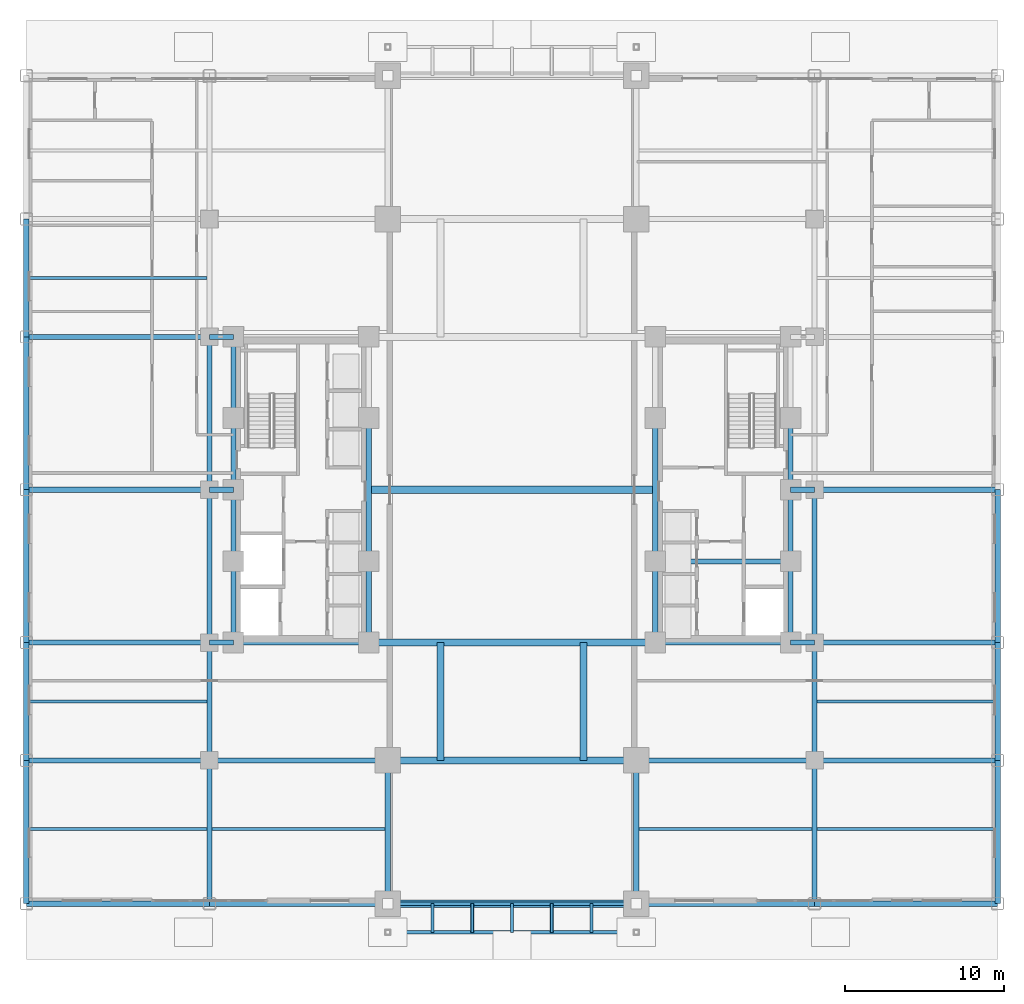
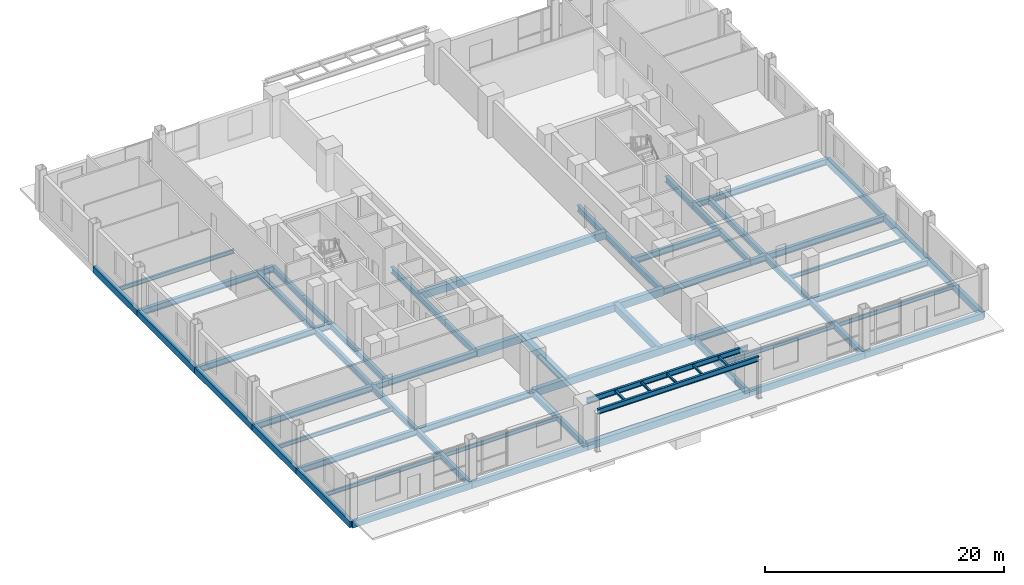
# One storey, part 6 of 20: 64 beams, 5 members.
"""IFC4 building model written with IfcOpenShell, lengths in metres."""

from ifc_helpers import new_model, si_unit, direction, frame, origin, origin_2d, place, context, subcontext, project, spatial, rectangle, hollow_rectangle, i_section, extrude, material, material_profile, profile_set, type_object, element, save


model = new_model("IFC4")

# Units and contexts
model_context = context("Model", 3, precision=1e-05, world=origin(), true_north=direction((0.0, 1.0)))
body_context = subcontext(model_context, "Body", "Model", "MODEL_VIEW")
ifc_project = project(units=[si_unit("LENGTHUNIT", "METRE"), si_unit("AREAUNIT", "SQUARE_METRE"), si_unit("VOLUMEUNIT", "CUBIC_METRE"), si_unit("PLANEANGLEUNIT", "RADIAN"), si_unit("MASSUNIT", "GRAM", prefix="KILO")], contexts=[model_context])

# Site, building, storey
site_placement = place(None, origin())
site = spatial("IfcSite", under=ifc_project, at=site_placement, CompositionType="ELEMENT")
building_placement = place(site_placement, origin())
building = spatial("IfcBuilding", under=site, at=building_placement, Name="Nuvemarco Arch Tower", CompositionType="ELEMENT")
storey_placement = place(building_placement, origin())
storey = spatial("IfcBuildingStorey", under=building, at=storey_placement, Name="L00", CompositionType="ELEMENT", Elevation=0.0)

# Beams
ifc_material_1 = material(Name="Steel S355", Category="steel")
ifc_material_profile_1 = material_profile(ifc_material_1, i_section(OverallWidth=0.2109375, OverallDepth=0.5390625, WebThickness=0.01171875, FlangeThickness=0.018798828125, FilletRadius=0.01611328125, at=origin_2d()), Name="W530x109")
ifc_profile_set_1 = profile_set([ifc_material_profile_1], Name="Steel S355")
beam_type_1 = type_object("IfcBeamType", Name="BM-ARCH-HDR", PredefinedType="LINTEL", material=ifc_profile_set_1)
for number, where, z_axis, x_axis, name in (
    (1, (-7.800048828125, -26.0, 4.0), (1.0, 0.0, 0.0), (0.0, 1.0, 0.0), "Portal arch entrance canopy inner header S"),
    (2, (-7.800048828125, -27.800048828125, 4.0), (1.0, 0.0, 0.0), (0.0, 1.0, 0.0), "Portal arch entrance canopy outer fascia beam S"),
):
    element("IfcBeam", number, at=place(storey_placement, frame(where, z_axis=z_axis, x_axis=x_axis)), inside=storey, type_object=beam_type_1, Name=name, PredefinedType="LINTEL", context=body_context, shape_type="SweptSolid", body=[
        extrude(i_section(OverallWidth=0.2109375, OverallDepth=0.5390625, WebThickness=0.01171875, FlangeThickness=0.018798828125, FilletRadius=0.01611328125, at=origin_2d()), origin(), (0.0, 0.0, 1.0), 15.60009765625),
    ])
ifc_material_2 = material(Name="Concrete C50/60", Category="concrete")
ifc_material_profile_2 = material_profile(ifc_material_2, rectangle(XDim=0.449951171875, YDim=0.75, at=origin_2d()), Name="RC-BM-450x750")
ifc_profile_set_2 = profile_set([ifc_material_profile_2], Name="Concrete C50/60")
beam_type_2 = type_object("IfcBeamType", Name="BM-BASE-RC", PredefinedType="BEAM", material=ifc_profile_set_2)
for number, where, z_axis, x_axis, name in (
    (3, (-7.800048828125, -26.0, -0.574951171875), (1.0, 0.0, 0.0), (0.0, 1.0, 0.0), "L00 structural beam BPAV_L00_-26.0"),
    (4, (-7.800048828125, -17.0, -0.574951171875), (1.0, 0.0, 0.0), (0.0, 1.0, 0.0), "L00 structural beam BPAV_L00_-17.0"),
):
    element("IfcBeam", number, at=place(storey_placement, frame(where, z_axis=z_axis, x_axis=x_axis)), inside=storey, type_object=beam_type_2, Name=name, PredefinedType="BEAM", context=body_context, shape_type="SweptSolid", body=[
        extrude(rectangle(XDim=0.449951171875, YDim=0.75, at=origin_2d()), origin(), (0.0, 0.0, 1.0), 15.60009765625),
    ])
for number, where, z_axis, x_axis, name in (
    (5, (-9.0, -9.60009765625, -0.574951171875), (1.0, 0.0, 0.0), (0.0, 1.0, 0.0), "L00 structural beam BPAV_L00_-9.6"),
    (6, (-9.0, 0.0, -0.574951171875), (1.0, 0.0, 0.0), (0.0, 1.0, 0.0), "L00 structural beam BPAV_L00_+0.0"),
):
    element("IfcBeam", number, at=place(storey_placement, frame(where, z_axis=z_axis, x_axis=x_axis)), inside=storey, type_object=beam_type_2, Name=name, PredefinedType="BEAM", context=body_context, shape_type="SweptSolid", body=[
        extrude(rectangle(XDim=0.449951171875, YDim=0.75, at=origin_2d()), origin(), (0.0, 0.0, 1.0), 18.0),
    ])
for number, where, z_axis, x_axis, name in (
    (7, (-4.5, -17.0, -0.574951171875), (0.0, 1.0, 0.0), (-1.0, 0.0, 0.0), "L00 structural beam BPAV_NS_S_W"),
    (8, (4.5, -17.0, -0.574951171875), (0.0, 1.0, 0.0), (-1.0, 0.0, 0.0), "L00 structural beam BPAV_NS_S_E"),
):
    element("IfcBeam", number, at=place(storey_placement, frame(where, z_axis=z_axis, x_axis=x_axis)), inside=storey, type_object=beam_type_2, Name=name, PredefinedType="BEAM", context=body_context, shape_type="SweptSolid", body=[
        extrude(rectangle(XDim=0.449951171875, YDim=0.75, at=origin_2d()), origin(), (0.0, 0.0, 1.0), 7.39990234375),
    ])
ifc_material_profile_3 = material_profile(ifc_material_1, i_section(OverallWidth=0.324951171875, OverallDepth=0.615966796875, WebThickness=0.013916015625, FlangeThickness=0.021484375, FilletRadius=0.01611328125, at=origin_2d()), Name="W610x174")
ifc_profile_set_3 = profile_set([ifc_material_profile_3], Name="Steel S355")
beam_type_3 = type_object("IfcBeamType", Name="BM-GIRD-610H", PredefinedType="BEAM", material=ifc_profile_set_3)
beam_1_placement = place(storey_placement, frame((-19.0, -26.0, -0.6279296875), z_axis=(0.0, 1.0, 0.0), x_axis=(-1.0, 0.0, 0.0)))
element("IfcBeam", 9, at=beam_1_placement, inside=storey, type_object=beam_type_3, Name="L00 structural beam BGNS_L00_0_-19.0_-26.0", PredefinedType="BEAM", context=body_context, shape_type="SweptSolid", body=[
    extrude(i_section(OverallWidth=0.324951171875, OverallDepth=0.615966796875, WebThickness=0.013916015625, FlangeThickness=0.021484375, FilletRadius=0.01611328125, at=origin_2d()), origin(), (0.0, 0.0, 1.0), 9.0),
])
beam_2_placement = place(storey_placement, frame((-19.0, -17.0, -0.6279296875), z_axis=(0.0, 1.0, 0.0), x_axis=(-1.0, 0.0, 0.0)))
element("IfcBeam", 10, at=beam_2_placement, inside=storey, type_object=beam_type_3, Name="L00 structural beam BGNS_L00_0_-19.0_-17.0", PredefinedType="BEAM", context=body_context, shape_type="SweptSolid", body=[
    extrude(i_section(OverallWidth=0.324951171875, OverallDepth=0.615966796875, WebThickness=0.013916015625, FlangeThickness=0.021484375, FilletRadius=0.01611328125, at=origin_2d()), origin(), (0.0, 0.0, 1.0), 7.39990234375),
])
for number, where, z_axis, x_axis, name in (
    (11, (-19.0, -9.60009765625, -0.6279296875), (0.0, 1.0, 0.0), (-1.0, 0.0, 0.0), "L00 structural beam BGNS_L00_0_-19.0_-9.6"),
    (12, (-19.0, 0.0, -0.6279296875), (0.0, 1.0, 0.0), (-1.0, 0.0, 0.0), "L00 structural beam BGNS_L00_0_-19.0_+0.0"),
):
    element("IfcBeam", number, at=place(storey_placement, frame(where, z_axis=z_axis, x_axis=x_axis)), inside=storey, type_object=beam_type_3, Name=name, PredefinedType="BEAM", context=body_context, shape_type="SweptSolid", body=[
        extrude(i_section(OverallWidth=0.324951171875, OverallDepth=0.615966796875, WebThickness=0.013916015625, FlangeThickness=0.021484375, FilletRadius=0.01611328125, at=origin_2d()), origin(), (0.0, 0.0, 1.0), 9.60009765625),
    ])
beam_3_placement = place(storey_placement, frame((-17.5, -9.60009765625, -0.6279296875), z_axis=(0.0, 1.0, 0.0), x_axis=(-1.0, 0.0, 0.0)))
element("IfcBeam", 13, at=beam_3_placement, inside=storey, type_object=beam_type_3, Name="L00 structural beam BGNS_L00_0_-17.5_-9.6", PredefinedType="BEAM", context=body_context, shape_type="SweptSolid", body=[
    extrude(i_section(OverallWidth=0.324951171875, OverallDepth=0.615966796875, WebThickness=0.013916015625, FlangeThickness=0.021484375, FilletRadius=0.01611328125, at=origin_2d()), origin(), (0.0, 0.0, 1.0), 5.10009765625),
])
for number, where, z_axis, x_axis, name in (
    (14, (-17.5, -4.5, -0.6279296875), (0.0, 1.0, 0.0), (-1.0, 0.0, 0.0), "L00 structural beam BGNS_L00_0_-17.5_-4.5"),
    (15, (-17.5, 0.0, -0.6279296875), (0.0, 1.0, 0.0), (-1.0, 0.0, 0.0), "L00 structural beam BGNS_L00_0_-17.5_+0.0"),
):
    element("IfcBeam", number, at=place(storey_placement, frame(where, z_axis=z_axis, x_axis=x_axis)), inside=storey, type_object=beam_type_3, Name=name, PredefinedType="BEAM", context=body_context, shape_type="SweptSolid", body=[
        extrude(i_section(OverallWidth=0.324951171875, OverallDepth=0.615966796875, WebThickness=0.013916015625, FlangeThickness=0.021484375, FilletRadius=0.01611328125, at=origin_2d()), origin(), (0.0, 0.0, 1.0), 4.5),
    ])
for number, where, z_axis, x_axis, name in (
    (16, (-17.5, 4.5, -0.6279296875), (0.0, 1.0, 0.0), (-1.0, 0.0, 0.0), "L00 structural beam BGNS_L00_0_-17.5_+4.5"),
    (17, (-9.0, -9.60009765625, -0.6279296875), (0.0, 1.0, 0.0), (-1.0, 0.0, 0.0), "L00 structural beam BGNS_L00_0_-9.0_-9.6"),
):
    element("IfcBeam", number, at=place(storey_placement, frame(where, z_axis=z_axis, x_axis=x_axis)), inside=storey, type_object=beam_type_3, Name=name, PredefinedType="BEAM", context=body_context, shape_type="SweptSolid", body=[
        extrude(i_section(OverallWidth=0.324951171875, OverallDepth=0.615966796875, WebThickness=0.013916015625, FlangeThickness=0.021484375, FilletRadius=0.01611328125, at=origin_2d()), origin(), (0.0, 0.0, 1.0), 5.10009765625),
    ])
for number, where, z_axis, x_axis, name in (
    (18, (-9.0, -4.5, -0.6279296875), (0.0, 1.0, 0.0), (-1.0, 0.0, 0.0), "L00 structural beam BGNS_L00_0_-9.0_-4.5"),
    (19, (-7.800048828125, -26.0, -0.6279296875), (0.0, 1.0, 0.0), (-1.0, 0.0, 0.0), "L00 structural beam BGNS_L00_0_-7.8_-26.0"),
):
    element("IfcBeam", number, at=place(storey_placement, frame(where, z_axis=z_axis, x_axis=x_axis)), inside=storey, type_object=beam_type_3, Name=name, PredefinedType="BEAM", context=body_context, shape_type="SweptSolid", body=[
        extrude(i_section(OverallWidth=0.324951171875, OverallDepth=0.615966796875, WebThickness=0.013916015625, FlangeThickness=0.021484375, FilletRadius=0.01611328125, at=origin_2d()), origin(), (0.0, 0.0, 1.0), 9.0),
    ])
beam_4_placement = place(storey_placement, frame((-30.5, -17.0, -0.6279296875), z_axis=(1.0, 0.0, 0.0), x_axis=(0.0, 1.0, 0.0)))
element("IfcBeam", 20, at=beam_4_placement, inside=storey, type_object=beam_type_3, Name="L00 structural beam BGEW_L00_0_-17.0_-30.5", PredefinedType="BEAM", context=body_context, shape_type="SweptSolid", body=[
    extrude(i_section(OverallWidth=0.324951171875, OverallDepth=0.615966796875, WebThickness=0.013916015625, FlangeThickness=0.021484375, FilletRadius=0.01611328125, at=origin_2d()), origin(), (0.0, 0.0, 1.0), 11.5),
])
beam_5_placement = place(storey_placement, frame((-19.0, -17.0, -0.6279296875), z_axis=(1.0, 0.0, 0.0), x_axis=(0.0, 1.0, 0.0)))
element("IfcBeam", 21, at=beam_5_placement, inside=storey, type_object=beam_type_3, Name="L00 structural beam BGEW_L00_0_-17.0_-19.0", PredefinedType="BEAM", context=body_context, shape_type="SweptSolid", body=[
    extrude(i_section(OverallWidth=0.324951171875, OverallDepth=0.615966796875, WebThickness=0.013916015625, FlangeThickness=0.021484375, FilletRadius=0.01611328125, at=origin_2d()), origin(), (0.0, 0.0, 1.0), 11.199951171875),
])
beam_6_placement = place(storey_placement, frame((-30.5, -9.60009765625, -0.6279296875), z_axis=(1.0, 0.0, 0.0), x_axis=(0.0, 1.0, 0.0)))
element("IfcBeam", 22, at=beam_6_placement, inside=storey, type_object=beam_type_3, Name="L00 structural beam BGEW_L00_0_-9.6_-30.5", PredefinedType="BEAM", context=body_context, shape_type="SweptSolid", body=[
    extrude(i_section(OverallWidth=0.324951171875, OverallDepth=0.615966796875, WebThickness=0.013916015625, FlangeThickness=0.021484375, FilletRadius=0.01611328125, at=origin_2d()), origin(), (0.0, 0.0, 1.0), 11.5),
])
beam_7_placement = place(storey_placement, frame((-19.0, -9.60009765625, -0.6279296875), z_axis=(1.0, 0.0, 0.0), x_axis=(0.0, 1.0, 0.0)))
element("IfcBeam", 23, at=beam_7_placement, inside=storey, type_object=beam_type_3, Name="L00 structural beam BGEW_L00_0_-9.6_-19.0", PredefinedType="BEAM", context=body_context, shape_type="SweptSolid", body=[
    extrude(i_section(OverallWidth=0.324951171875, OverallDepth=0.615966796875, WebThickness=0.013916015625, FlangeThickness=0.021484375, FilletRadius=0.01611328125, at=origin_2d()), origin(), (0.0, 0.0, 1.0), 1.5),
])
beam_8_placement = place(storey_placement, frame((-17.5, -9.60009765625, -0.6279296875), z_axis=(1.0, 0.0, 0.0), x_axis=(0.0, 1.0, 0.0)))
element("IfcBeam", 24, at=beam_8_placement, inside=storey, type_object=beam_type_3, Name="L00 structural beam BGEW_L00_0_-9.6_-17.5", PredefinedType="BEAM", context=body_context, shape_type="SweptSolid", body=[
    extrude(i_section(OverallWidth=0.324951171875, OverallDepth=0.615966796875, WebThickness=0.013916015625, FlangeThickness=0.021484375, FilletRadius=0.01611328125, at=origin_2d()), origin(), (0.0, 0.0, 1.0), 8.5),
])
beam_9_placement = place(storey_placement, frame((-30.5, 0.0, -0.6279296875), z_axis=(1.0, 0.0, 0.0), x_axis=(0.0, 1.0, 0.0)))
element("IfcBeam", 25, at=beam_9_placement, inside=storey, type_object=beam_type_3, Name="L00 structural beam BGEW_L00_0_+0.0_-30.5", PredefinedType="BEAM", context=body_context, shape_type="SweptSolid", body=[
    extrude(i_section(OverallWidth=0.324951171875, OverallDepth=0.615966796875, WebThickness=0.013916015625, FlangeThickness=0.021484375, FilletRadius=0.01611328125, at=origin_2d()), origin(), (0.0, 0.0, 1.0), 11.5),
])
beam_10_placement = place(storey_placement, frame((-19.0, 0.0, -0.6279296875), z_axis=(1.0, 0.0, 0.0), x_axis=(0.0, 1.0, 0.0)))
element("IfcBeam", 26, at=beam_10_placement, inside=storey, type_object=beam_type_3, Name="L00 structural beam BGEW_L00_0_+0.0_-19.0", PredefinedType="BEAM", context=body_context, shape_type="SweptSolid", body=[
    extrude(i_section(OverallWidth=0.324951171875, OverallDepth=0.615966796875, WebThickness=0.013916015625, FlangeThickness=0.021484375, FilletRadius=0.01611328125, at=origin_2d()), origin(), (0.0, 0.0, 1.0), 1.5),
])
beam_11_placement = place(storey_placement, frame((-30.5, 9.60009765625, -0.6279296875), z_axis=(1.0, 0.0, 0.0), x_axis=(0.0, 1.0, 0.0)))
element("IfcBeam", 27, at=beam_11_placement, inside=storey, type_object=beam_type_3, Name="L00 structural beam BGEW_L00_0_+9.6_-30.5", PredefinedType="BEAM", context=body_context, shape_type="SweptSolid", body=[
    extrude(i_section(OverallWidth=0.324951171875, OverallDepth=0.615966796875, WebThickness=0.013916015625, FlangeThickness=0.021484375, FilletRadius=0.01611328125, at=origin_2d()), origin(), (0.0, 0.0, 1.0), 11.5),
])
beam_12_placement = place(storey_placement, frame((-19.0, 9.60009765625, -0.6279296875), z_axis=(1.0, 0.0, 0.0), x_axis=(0.0, 1.0, 0.0)))
element("IfcBeam", 28, at=beam_12_placement, inside=storey, type_object=beam_type_3, Name="L00 structural beam BGEW_L00_0_+9.6_-19.0", PredefinedType="BEAM", context=body_context, shape_type="SweptSolid", body=[
    extrude(i_section(OverallWidth=0.324951171875, OverallDepth=0.615966796875, WebThickness=0.013916015625, FlangeThickness=0.021484375, FilletRadius=0.01611328125, at=origin_2d()), origin(), (0.0, 0.0, 1.0), 1.5),
])
beam_13_placement = place(storey_placement, frame((7.800048828125, -26.0, -0.6279296875), z_axis=(0.0, 1.0, 0.0), x_axis=(-1.0, 0.0, 0.0)))
element("IfcBeam", 29, at=beam_13_placement, inside=storey, type_object=beam_type_3, Name="L00 structural beam BGNS_L00_1_+7.8_-26.0", PredefinedType="BEAM", context=body_context, shape_type="SweptSolid", body=[
    extrude(i_section(OverallWidth=0.324951171875, OverallDepth=0.615966796875, WebThickness=0.013916015625, FlangeThickness=0.021484375, FilletRadius=0.01611328125, at=origin_2d()), origin(), (0.0, 0.0, 1.0), 9.0),
])
beam_14_placement = place(storey_placement, frame((9.0, -9.60009765625, -0.6279296875), z_axis=(0.0, 1.0, 0.0), x_axis=(-1.0, 0.0, 0.0)))
element("IfcBeam", 30, at=beam_14_placement, inside=storey, type_object=beam_type_3, Name="L00 structural beam BGNS_L00_1_+9.0_-9.6", PredefinedType="BEAM", context=body_context, shape_type="SweptSolid", body=[
    extrude(i_section(OverallWidth=0.324951171875, OverallDepth=0.615966796875, WebThickness=0.013916015625, FlangeThickness=0.021484375, FilletRadius=0.01611328125, at=origin_2d()), origin(), (0.0, 0.0, 1.0), 5.10009765625),
])
beam_15_placement = place(storey_placement, frame((9.0, -4.5, -0.6279296875), z_axis=(0.0, 1.0, 0.0), x_axis=(-1.0, 0.0, 0.0)))
element("IfcBeam", 31, at=beam_15_placement, inside=storey, type_object=beam_type_3, Name="L00 structural beam BGNS_L00_1_+9.0_-4.5", PredefinedType="BEAM", context=body_context, shape_type="SweptSolid", body=[
    extrude(i_section(OverallWidth=0.324951171875, OverallDepth=0.615966796875, WebThickness=0.013916015625, FlangeThickness=0.021484375, FilletRadius=0.01611328125, at=origin_2d()), origin(), (0.0, 0.0, 1.0), 9.0),
])
beam_16_placement = place(storey_placement, frame((17.5, -9.60009765625, -0.6279296875), z_axis=(0.0, 1.0, 0.0), x_axis=(-1.0, 0.0, 0.0)))
element("IfcBeam", 32, at=beam_16_placement, inside=storey, type_object=beam_type_3, Name="L00 structural beam BGNS_L00_1_+17.5_-9.6", PredefinedType="BEAM", context=body_context, shape_type="SweptSolid", body=[
    extrude(i_section(OverallWidth=0.324951171875, OverallDepth=0.615966796875, WebThickness=0.013916015625, FlangeThickness=0.021484375, FilletRadius=0.01611328125, at=origin_2d()), origin(), (0.0, 0.0, 1.0), 5.10009765625),
])
for number, where, z_axis, x_axis, name in (
    (33, (17.5, -4.5, -0.6279296875), (0.0, 1.0, 0.0), (-1.0, 0.0, 0.0), "L00 structural beam BGNS_L00_1_+17.5_-4.5"),
    (34, (17.5, 0.0, -0.6279296875), (0.0, 1.0, 0.0), (-1.0, 0.0, 0.0), "L00 structural beam BGNS_L00_1_+17.5_+0.0"),
):
    element("IfcBeam", number, at=place(storey_placement, frame(where, z_axis=z_axis, x_axis=x_axis)), inside=storey, type_object=beam_type_3, Name=name, PredefinedType="BEAM", context=body_context, shape_type="SweptSolid", body=[
        extrude(i_section(OverallWidth=0.324951171875, OverallDepth=0.615966796875, WebThickness=0.013916015625, FlangeThickness=0.021484375, FilletRadius=0.01611328125, at=origin_2d()), origin(), (0.0, 0.0, 1.0), 4.5),
    ])
beam_17_placement = place(storey_placement, frame((19.0, -26.0, -0.6279296875), z_axis=(0.0, 1.0, 0.0), x_axis=(-1.0, 0.0, 0.0)))
element("IfcBeam", 35, at=beam_17_placement, inside=storey, type_object=beam_type_3, Name="L00 structural beam BGNS_L00_1_+19.0_-26.0", PredefinedType="BEAM", context=body_context, shape_type="SweptSolid", body=[
    extrude(i_section(OverallWidth=0.324951171875, OverallDepth=0.615966796875, WebThickness=0.013916015625, FlangeThickness=0.021484375, FilletRadius=0.01611328125, at=origin_2d()), origin(), (0.0, 0.0, 1.0), 9.0),
])
beam_18_placement = place(storey_placement, frame((19.0, -17.0, -0.6279296875), z_axis=(0.0, 1.0, 0.0), x_axis=(-1.0, 0.0, 0.0)))
element("IfcBeam", 36, at=beam_18_placement, inside=storey, type_object=beam_type_3, Name="L00 structural beam BGNS_L00_1_+19.0_-17.0", PredefinedType="BEAM", context=body_context, shape_type="SweptSolid", body=[
    extrude(i_section(OverallWidth=0.324951171875, OverallDepth=0.615966796875, WebThickness=0.013916015625, FlangeThickness=0.021484375, FilletRadius=0.01611328125, at=origin_2d()), origin(), (0.0, 0.0, 1.0), 7.39990234375),
])
beam_19_placement = place(storey_placement, frame((19.0, -9.60009765625, -0.6279296875), z_axis=(0.0, 1.0, 0.0), x_axis=(-1.0, 0.0, 0.0)))
element("IfcBeam", 37, at=beam_19_placement, inside=storey, type_object=beam_type_3, Name="L00 structural beam BGNS_L00_1_+19.0_-9.6", PredefinedType="BEAM", context=body_context, shape_type="SweptSolid", body=[
    extrude(i_section(OverallWidth=0.324951171875, OverallDepth=0.615966796875, WebThickness=0.013916015625, FlangeThickness=0.021484375, FilletRadius=0.01611328125, at=origin_2d()), origin(), (0.0, 0.0, 1.0), 9.60009765625),
])
beam_20_placement = place(storey_placement, frame((7.800048828125, -17.0, -0.6279296875), z_axis=(1.0, 0.0, 0.0), x_axis=(0.0, 1.0, 0.0)))
element("IfcBeam", 38, at=beam_20_placement, inside=storey, type_object=beam_type_3, Name="L00 structural beam BGEW_L00_1_-17.0_+7.8", PredefinedType="BEAM", context=body_context, shape_type="SweptSolid", body=[
    extrude(i_section(OverallWidth=0.324951171875, OverallDepth=0.615966796875, WebThickness=0.013916015625, FlangeThickness=0.021484375, FilletRadius=0.01611328125, at=origin_2d()), origin(), (0.0, 0.0, 1.0), 11.199951171875),
])
beam_21_placement = place(storey_placement, frame((19.0, -17.0, -0.6279296875), z_axis=(1.0, 0.0, 0.0), x_axis=(0.0, 1.0, 0.0)))
element("IfcBeam", 39, at=beam_21_placement, inside=storey, type_object=beam_type_3, Name="L00 structural beam BGEW_L00_1_-17.0_+19.0", PredefinedType="BEAM", context=body_context, shape_type="SweptSolid", body=[
    extrude(i_section(OverallWidth=0.324951171875, OverallDepth=0.615966796875, WebThickness=0.013916015625, FlangeThickness=0.021484375, FilletRadius=0.01611328125, at=origin_2d()), origin(), (0.0, 0.0, 1.0), 11.5),
])
beam_22_placement = place(storey_placement, frame((9.0, -9.60009765625, -0.6279296875), z_axis=(1.0, 0.0, 0.0), x_axis=(0.0, 1.0, 0.0)))
element("IfcBeam", 40, at=beam_22_placement, inside=storey, type_object=beam_type_3, Name="L00 structural beam BGEW_L00_1_-9.6_+9.0", PredefinedType="BEAM", context=body_context, shape_type="SweptSolid", body=[
    extrude(i_section(OverallWidth=0.324951171875, OverallDepth=0.615966796875, WebThickness=0.013916015625, FlangeThickness=0.021484375, FilletRadius=0.01611328125, at=origin_2d()), origin(), (0.0, 0.0, 1.0), 8.5),
])
beam_23_placement = place(storey_placement, frame((17.5, -9.60009765625, -0.6279296875), z_axis=(1.0, 0.0, 0.0), x_axis=(0.0, 1.0, 0.0)))
element("IfcBeam", 41, at=beam_23_placement, inside=storey, type_object=beam_type_3, Name="L00 structural beam BGEW_L00_1_-9.6_+17.5", PredefinedType="BEAM", context=body_context, shape_type="SweptSolid", body=[
    extrude(i_section(OverallWidth=0.324951171875, OverallDepth=0.615966796875, WebThickness=0.013916015625, FlangeThickness=0.021484375, FilletRadius=0.01611328125, at=origin_2d()), origin(), (0.0, 0.0, 1.0), 1.5),
])
beam_24_placement = place(storey_placement, frame((19.0, -9.60009765625, -0.6279296875), z_axis=(1.0, 0.0, 0.0), x_axis=(0.0, 1.0, 0.0)))
element("IfcBeam", 42, at=beam_24_placement, inside=storey, type_object=beam_type_3, Name="L00 structural beam BGEW_L00_1_-9.6_+19.0", PredefinedType="BEAM", context=body_context, shape_type="SweptSolid", body=[
    extrude(i_section(OverallWidth=0.324951171875, OverallDepth=0.615966796875, WebThickness=0.013916015625, FlangeThickness=0.021484375, FilletRadius=0.01611328125, at=origin_2d()), origin(), (0.0, 0.0, 1.0), 11.5),
])
beam_25_placement = place(storey_placement, frame((9.0, -4.5, -0.6279296875), z_axis=(1.0, 0.0, 0.0), x_axis=(0.0, 1.0, 0.0)))
element("IfcBeam", 43, at=beam_25_placement, inside=storey, type_object=beam_type_3, Name="L00 structural beam BGEW_L00_1_-4.5_+9.0", PredefinedType="BEAM", context=body_context, shape_type="SweptSolid", body=[
    extrude(i_section(OverallWidth=0.324951171875, OverallDepth=0.615966796875, WebThickness=0.013916015625, FlangeThickness=0.021484375, FilletRadius=0.01611328125, at=origin_2d()), origin(), (0.0, 0.0, 1.0), 8.5),
])
beam_26_placement = place(storey_placement, frame((17.5, 0.0, -0.6279296875), z_axis=(1.0, 0.0, 0.0), x_axis=(0.0, 1.0, 0.0)))
element("IfcBeam", 44, at=beam_26_placement, inside=storey, type_object=beam_type_3, Name="L00 structural beam BGEW_L00_1_+0.0_+17.5", PredefinedType="BEAM", context=body_context, shape_type="SweptSolid", body=[
    extrude(i_section(OverallWidth=0.324951171875, OverallDepth=0.615966796875, WebThickness=0.013916015625, FlangeThickness=0.021484375, FilletRadius=0.01611328125, at=origin_2d()), origin(), (0.0, 0.0, 1.0), 1.5),
])
beam_27_placement = place(storey_placement, frame((19.0, 0.0, -0.6279296875), z_axis=(1.0, 0.0, 0.0), x_axis=(0.0, 1.0, 0.0)))
element("IfcBeam", 45, at=beam_27_placement, inside=storey, type_object=beam_type_3, Name="L00 structural beam BGEW_L00_1_+0.0_+19.0", PredefinedType="BEAM", context=body_context, shape_type="SweptSolid", body=[
    extrude(i_section(OverallWidth=0.324951171875, OverallDepth=0.615966796875, WebThickness=0.013916015625, FlangeThickness=0.021484375, FilletRadius=0.01611328125, at=origin_2d()), origin(), (0.0, 0.0, 1.0), 11.5),
])
ifc_material_profile_4 = material_profile(ifc_material_1, i_section(OverallWidth=0.179931640625, OverallDepth=0.4130859375, WebThickness=0.009765625, FlangeThickness=0.01611328125, FilletRadius=0.014892578125, at=origin_2d()), Name="W410x75")
ifc_profile_set_4 = profile_set([ifc_material_profile_4], Name="Steel S355")
beam_type_4 = type_object("IfcBeamType", Name="BM-JOIST-410", PredefinedType="JOIST", material=ifc_profile_set_4)
beam_28_placement = place(storey_placement, frame((-30.324951171875, -21.300048828125, -0.526611328125), z_axis=(1.0, 0.0, 0.0), x_axis=(0.0, 1.0, 0.0)))
element("IfcBeam", 46, at=beam_28_placement, inside=storey, type_object=beam_type_4, Name="L00 structural beam BJ_L00_0_-21.3_-30.5", PredefinedType="JOIST", context=body_context, shape_type="SweptSolid", body=[
    extrude(i_section(OverallWidth=0.179931640625, OverallDepth=0.4130859375, WebThickness=0.009765625, FlangeThickness=0.01611328125, FilletRadius=0.014892578125, at=origin_2d()), origin(), (0.0, 0.0, 1.0), 11.162353515625),
])
beam_29_placement = place(storey_placement, frame((-18.83740234375, -21.300048828125, -0.526611328125), z_axis=(1.0, 0.0, 0.0), x_axis=(0.0, 1.0, 0.0)))
element("IfcBeam", 47, at=beam_29_placement, inside=storey, type_object=beam_type_4, Name="L00 structural beam BJ_L00_0_-21.3_-19.0", PredefinedType="JOIST", context=body_context, shape_type="SweptSolid", body=[
    extrude(i_section(OverallWidth=0.179931640625, OverallDepth=0.4130859375, WebThickness=0.009765625, FlangeThickness=0.01611328125, FilletRadius=0.014892578125, at=origin_2d()), origin(), (0.0, 0.0, 1.0), 10.875),
])
for number, where, z_axis, x_axis, name in (
    (48, (-30.324951171875, -13.300048828125, -0.526611328125), (1.0, 0.0, 0.0), (0.0, 1.0, 0.0), "L00 structural beam BJ_L00_0_-13.3_-30.5"),
    (49, (-30.324951171875, 13.300048828125, -0.526611328125), (1.0, 0.0, 0.0), (0.0, 1.0, 0.0), "L00 structural beam BJ_L00_0_+13.3_-30.5"),
):
    element("IfcBeam", number, at=place(storey_placement, frame(where, z_axis=z_axis, x_axis=x_axis)), inside=storey, type_object=beam_type_4, Name=name, PredefinedType="JOIST", context=body_context, shape_type="SweptSolid", body=[
        extrude(i_section(OverallWidth=0.179931640625, OverallDepth=0.4130859375, WebThickness=0.009765625, FlangeThickness=0.01611328125, FilletRadius=0.014892578125, at=origin_2d()), origin(), (0.0, 0.0, 1.0), 11.162353515625),
    ])
beam_30_placement = place(storey_placement, frame((7.96240234375, -21.300048828125, -0.526611328125), z_axis=(1.0, 0.0, 0.0), x_axis=(0.0, 1.0, 0.0)))
element("IfcBeam", 50, at=beam_30_placement, inside=storey, type_object=beam_type_4, Name="L00 structural beam BJ_L00_1_-21.3_+7.8", PredefinedType="JOIST", context=body_context, shape_type="SweptSolid", body=[
    extrude(i_section(OverallWidth=0.179931640625, OverallDepth=0.4130859375, WebThickness=0.009765625, FlangeThickness=0.01611328125, FilletRadius=0.014892578125, at=origin_2d()), origin(), (0.0, 0.0, 1.0), 10.875),
])
for number, where, z_axis, x_axis, name in (
    (51, (19.16259765625, -21.300048828125, -0.526611328125), (1.0, 0.0, 0.0), (0.0, 1.0, 0.0), "L00 structural beam BJ_L00_1_-21.3_+19.0"),
    (52, (19.16259765625, -13.300048828125, -0.526611328125), (1.0, 0.0, 0.0), (0.0, 1.0, 0.0), "L00 structural beam BJ_L00_1_-13.3_+19.0"),
):
    element("IfcBeam", number, at=place(storey_placement, frame(where, z_axis=z_axis, x_axis=x_axis)), inside=storey, type_object=beam_type_4, Name=name, PredefinedType="JOIST", context=body_context, shape_type="SweptSolid", body=[
        extrude(i_section(OverallWidth=0.179931640625, OverallDepth=0.4130859375, WebThickness=0.009765625, FlangeThickness=0.01611328125, FilletRadius=0.014892578125, at=origin_2d()), origin(), (0.0, 0.0, 1.0), 11.162353515625),
    ])
ifc_material_3 = material(Name="Precast concrete C45/55", Category="concrete")
ifc_material_profile_5 = material_profile(ifc_material_3, rectangle(XDim=0.35009765625, YDim=0.64990234375, at=origin_2d()), Name="PC-SP-350x650")
ifc_profile_set_5 = profile_set([ifc_material_profile_5], Name="Precast concrete C45/55")
beam_type_5 = type_object("IfcBeamType", Name="BM-SPAN-RC", PredefinedType="SPANDREL", material=ifc_profile_set_5)
beam_31_placement = place(storey_placement, frame((-30.5, -26.0, -0.64501953125), z_axis=(0.0, 1.0, 0.0), x_axis=(-1.0, 0.0, 0.0)))
element("IfcBeam", 53, at=beam_31_placement, inside=storey, type_object=beam_type_5, Name="L00 structural beam BGNS_L00_0_-30.5_-26.0", PredefinedType="SPANDREL", context=body_context, shape_type="SweptSolid", body=[
    extrude(rectangle(XDim=0.35009765625, YDim=0.64990234375, at=origin_2d()), origin(), (0.0, 0.0, 1.0), 9.0),
])
beam_32_placement = place(storey_placement, frame((-30.5, -17.0, -0.64501953125), z_axis=(0.0, 1.0, 0.0), x_axis=(-1.0, 0.0, 0.0)))
element("IfcBeam", 54, at=beam_32_placement, inside=storey, type_object=beam_type_5, Name="L00 structural beam BGNS_L00_0_-30.5_-17.0", PredefinedType="SPANDREL", context=body_context, shape_type="SweptSolid", body=[
    extrude(rectangle(XDim=0.35009765625, YDim=0.64990234375, at=origin_2d()), origin(), (0.0, 0.0, 1.0), 7.39990234375),
])
for number, where, z_axis, x_axis, name in (
    (55, (-30.5, -9.60009765625, -0.64501953125), (0.0, 1.0, 0.0), (-1.0, 0.0, 0.0), "L00 structural beam BGNS_L00_0_-30.5_-9.6"),
    (56, (-30.5, 0.0, -0.64501953125), (0.0, 1.0, 0.0), (-1.0, 0.0, 0.0), "L00 structural beam BGNS_L00_0_-30.5_+0.0"),
):
    element("IfcBeam", number, at=place(storey_placement, frame(where, z_axis=z_axis, x_axis=x_axis)), inside=storey, type_object=beam_type_5, Name=name, PredefinedType="SPANDREL", context=body_context, shape_type="SweptSolid", body=[
        extrude(rectangle(XDim=0.35009765625, YDim=0.64990234375, at=origin_2d()), origin(), (0.0, 0.0, 1.0), 9.60009765625),
    ])
beam_33_placement = place(storey_placement, frame((-30.5, 9.60009765625, -0.64501953125), z_axis=(0.0, 1.0, 0.0), x_axis=(-1.0, 0.0, 0.0)))
element("IfcBeam", 57, at=beam_33_placement, inside=storey, type_object=beam_type_5, Name="L00 structural beam BGNS_L00_0_-30.5_+9.6", PredefinedType="SPANDREL", context=body_context, shape_type="SweptSolid", body=[
    extrude(rectangle(XDim=0.35009765625, YDim=0.64990234375, at=origin_2d()), origin(), (0.0, 0.0, 1.0), 7.39990234375),
])
beam_34_placement = place(storey_placement, frame((-30.5, -26.0, -0.64501953125), z_axis=(1.0, 0.0, 0.0), x_axis=(0.0, 1.0, 0.0)))
element("IfcBeam", 58, at=beam_34_placement, inside=storey, type_object=beam_type_5, Name="L00 structural beam BGEW_L00_0_-26.0_-30.5", PredefinedType="SPANDREL", context=body_context, shape_type="SweptSolid", body=[
    extrude(rectangle(XDim=0.35009765625, YDim=0.64990234375, at=origin_2d()), origin(), (0.0, 0.0, 1.0), 11.5),
])
beam_35_placement = place(storey_placement, frame((-19.0, -26.0, -0.64501953125), z_axis=(1.0, 0.0, 0.0), x_axis=(0.0, 1.0, 0.0)))
element("IfcBeam", 59, at=beam_35_placement, inside=storey, type_object=beam_type_5, Name="L00 structural beam BGEW_L00_0_-26.0_-19.0", PredefinedType="SPANDREL", context=body_context, shape_type="SweptSolid", body=[
    extrude(rectangle(XDim=0.35009765625, YDim=0.64990234375, at=origin_2d()), origin(), (0.0, 0.0, 1.0), 11.199951171875),
])
beam_36_placement = place(storey_placement, frame((30.5, -26.0, -0.64501953125), z_axis=(0.0, 1.0, 0.0), x_axis=(-1.0, 0.0, 0.0)))
element("IfcBeam", 60, at=beam_36_placement, inside=storey, type_object=beam_type_5, Name="L00 structural beam BGNS_L00_1_+30.5_-26.0", PredefinedType="SPANDREL", context=body_context, shape_type="SweptSolid", body=[
    extrude(rectangle(XDim=0.35009765625, YDim=0.64990234375, at=origin_2d()), origin(), (0.0, 0.0, 1.0), 9.0),
])
beam_37_placement = place(storey_placement, frame((30.5, -17.0, -0.64501953125), z_axis=(0.0, 1.0, 0.0), x_axis=(-1.0, 0.0, 0.0)))
element("IfcBeam", 61, at=beam_37_placement, inside=storey, type_object=beam_type_5, Name="L00 structural beam BGNS_L00_1_+30.5_-17.0", PredefinedType="SPANDREL", context=body_context, shape_type="SweptSolid", body=[
    extrude(rectangle(XDim=0.35009765625, YDim=0.64990234375, at=origin_2d()), origin(), (0.0, 0.0, 1.0), 7.39990234375),
])
beam_38_placement = place(storey_placement, frame((30.5, -9.60009765625, -0.64501953125), z_axis=(0.0, 1.0, 0.0), x_axis=(-1.0, 0.0, 0.0)))
element("IfcBeam", 62, at=beam_38_placement, inside=storey, type_object=beam_type_5, Name="L00 structural beam BGNS_L00_1_+30.5_-9.6", PredefinedType="SPANDREL", context=body_context, shape_type="SweptSolid", body=[
    extrude(rectangle(XDim=0.35009765625, YDim=0.64990234375, at=origin_2d()), origin(), (0.0, 0.0, 1.0), 9.60009765625),
])
beam_39_placement = place(storey_placement, frame((7.800048828125, -26.0, -0.64501953125), z_axis=(1.0, 0.0, 0.0), x_axis=(0.0, 1.0, 0.0)))
element("IfcBeam", 63, at=beam_39_placement, inside=storey, type_object=beam_type_5, Name="L00 structural beam BGEW_L00_1_-26.0_+7.8", PredefinedType="SPANDREL", context=body_context, shape_type="SweptSolid", body=[
    extrude(rectangle(XDim=0.35009765625, YDim=0.64990234375, at=origin_2d()), origin(), (0.0, 0.0, 1.0), 11.199951171875),
])
beam_40_placement = place(storey_placement, frame((19.0, -26.0, -0.64501953125), z_axis=(1.0, 0.0, 0.0), x_axis=(0.0, 1.0, 0.0)))
element("IfcBeam", 64, at=beam_40_placement, inside=storey, type_object=beam_type_5, Name="L00 structural beam BGEW_L00_1_-26.0_+19.0", PredefinedType="SPANDREL", context=body_context, shape_type="SweptSolid", body=[
    extrude(rectangle(XDim=0.35009765625, YDim=0.64990234375, at=origin_2d()), origin(), (0.0, 0.0, 1.0), 11.5),
])

# Members
ifc_material_profile_6 = material_profile(ifc_material_1, hollow_rectangle(XDim=0.199951171875, YDim=0.199951171875, WallThickness=0.012451171875, InnerFilletRadius=0.012451171875, OuterFilletRadius=0.02490234375, at=origin_2d()), Name="SHS200x200x12.5")
ifc_profile_set_6 = profile_set([ifc_material_profile_6], Name="Steel S355")
member_type = type_object("IfcMemberType", Name="MB-CANOPY-TIE", PredefinedType="RAFTER", material=ifc_profile_set_6)
for number, where, z_axis, x_axis, name in (
    (65, (-5.0, -26.0, 4.0), (0.0, -1.0, 0.0), (1.0, 0.0, 0.0), "Portal arch entrance canopy rafter S -5.0"),
    (66, (-2.5, -26.0, 4.0), (0.0, -1.0, 0.0), (1.0, 0.0, 0.0), "Portal arch entrance canopy rafter S -2.5"),
    (67, (0.0, -26.0, 4.0), (0.0, -1.0, 0.0), (1.0, 0.0, 0.0), "Portal arch entrance canopy rafter S +0.0"),
    (68, (2.5, -26.0, 4.0), (0.0, -1.0, 0.0), (1.0, 0.0, 0.0), "Portal arch entrance canopy rafter S +2.5"),
    (69, (5.0, -26.0, 4.0), (0.0, -1.0, 0.0), (1.0, 0.0, 0.0), "Portal arch entrance canopy rafter S +5.0"),
):
    element("IfcMember", number, at=place(storey_placement, frame(where, z_axis=z_axis, x_axis=x_axis)), inside=storey, type_object=member_type, Name=name, PredefinedType="RAFTER", context=body_context, shape_type="SweptSolid", body=[
        extrude(hollow_rectangle(XDim=0.199951171875, YDim=0.199951171875, WallThickness=0.012451171875, InnerFilletRadius=0.012451171875, OuterFilletRadius=0.02490234375, at=origin_2d()), origin(), (0.0, 0.0, 1.0), 1.800048828125),
    ])

save(model, "model.ifc")
